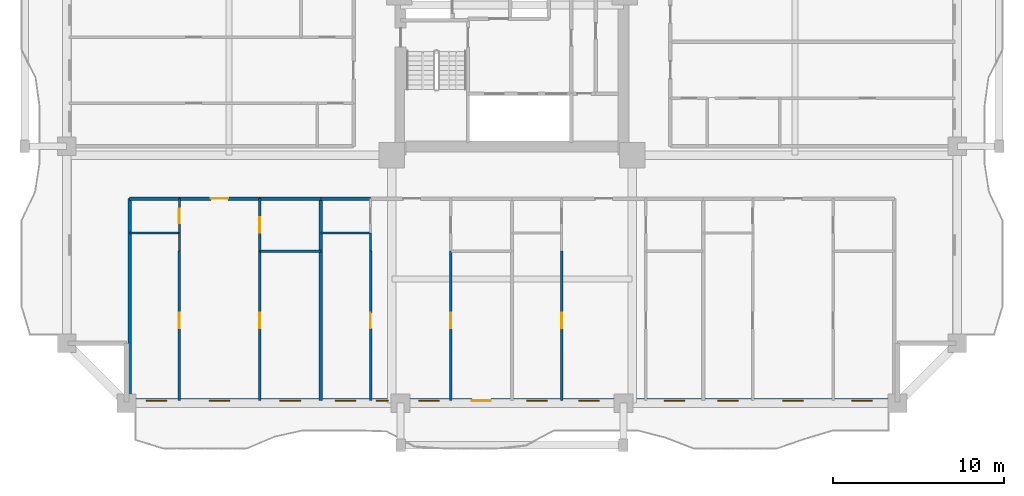
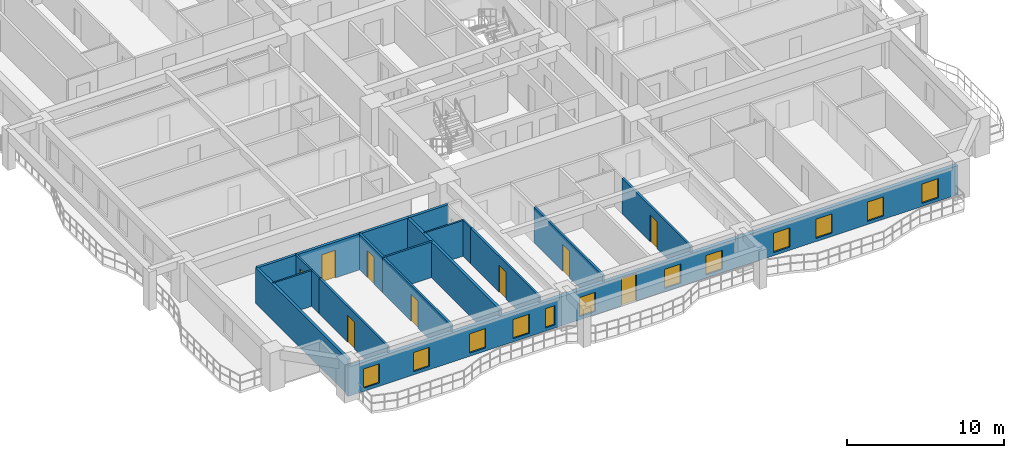
# One storey, part 2 of 18: 19 walls, 12 windows, 9 doors, 21 openings.
"""IFC4 building model written with IfcOpenShell, lengths in metres."""

from ifc_helpers import new_model, si_unit, direction, frame, frame_2d, origin, place, context, subcontext, project, spatial, rectangle, extrude, source, transform, mapped, material, layer, layer_set, type_object, element, fill, save


model = new_model("IFC4")

# Units and contexts
model_context = context("Model", 3, precision=1e-05, world=origin(), true_north=direction((0.0, 1.0)))
body_context = subcontext(model_context, "Body", "Model", "MODEL_VIEW")
ifc_project = project(units=[si_unit("LENGTHUNIT", "METRE"), si_unit("AREAUNIT", "SQUARE_METRE"), si_unit("VOLUMEUNIT", "CUBIC_METRE"), si_unit("PLANEANGLEUNIT", "RADIAN"), si_unit("MASSUNIT", "GRAM", prefix="KILO")], contexts=[model_context])

# Site, building, storey
site_placement = place(None, origin())
site = spatial("IfcSite", under=ifc_project, at=site_placement, CompositionType="ELEMENT")
building_placement = place(site_placement, origin())
building = spatial("IfcBuilding", under=site, at=building_placement, Name="Saelheon Loggia Tower", CompositionType="ELEMENT")
storey_placement = place(building_placement, frame((0.0, 0.0, 40.39990234375)))
storey = spatial("IfcBuildingStorey", under=building, at=storey_placement, Name="L12", CompositionType="ELEMENT", Elevation=40.39990234375)

# Wall, openings, windows, door
ifc_material_1 = material(Name="Architectural Precast Concrete C40/50", Category="concrete")
ifc_layer_1 = layer(ifc_material_1, 0.280029296875)
ifc_layer_set_1 = layer_set([ifc_layer_1], Name="Architectural Precast Concrete C40/50")
wall_type_1 = type_object("IfcWallType", Name="Wall_Ext_Loggia_280", PredefinedType="SOLIDWALL", material=ifc_layer_set_1)
wall_1_placement = place(storey_placement, frame((15.5, 3.139892578125, 0.0), z_axis=(0.0, 0.0, 1.0), x_axis=(1.0, 0.0, 0.0)))
wall_1 = element("IfcWall", 1, at=wall_1_placement, inside=storey, type_object=wall_type_1, Name="L12 South Loggia Inner Wall", PredefinedType="SOLIDWALL", context=body_context, shape_type="SweptSolid", body=[
    extrude(rectangle(XDim=45.0, YDim=0.280029296875, at=frame_2d((22.5, 0.0))), origin(), (0.0, 0.0, 1.0), 2.280029296875),
])
opening_1_placement = place(wall_1_placement, frame((1.1357421875, 0.0, 0.25)))
opening_1 = element("IfcOpeningElement", 2, at=opening_1_placement, cuts=wall_1, Name="Opening WN-03", PredefinedType="OPENING", context=body_context, shape_type="SweptSolid", body=[
    extrude(rectangle(XDim=1.199951171875, YDim=1.5, at=frame_2d((0.60009765625, 0.75))), frame((0.0, 0.152099609375, 0.0), z_axis=(0.0, -1.0, 0.0), x_axis=(1.0, 0.0, 0.0)), (0.0, 0.0, 1.0), 0.303955078125),
])
opening_2_placement = place(wall_1_placement, frame((4.8251953125, 0.0, 0.25)))
opening_2 = element("IfcOpeningElement", 3, at=opening_2_placement, cuts=wall_1, Name="Opening WN-03", PredefinedType="OPENING", context=body_context, shape_type="SweptSolid", body=[
    extrude(rectangle(XDim=1.199951171875, YDim=1.5, at=frame_2d((0.60009765625, 0.75))), frame((0.0, 0.152099609375, 0.0), z_axis=(0.0, -1.0, 0.0), x_axis=(1.0, 0.0, 0.0)), (0.0, 0.0, 1.0), 0.303955078125),
])
opening_3_placement = place(wall_1_placement, frame((8.954345703125, 0.0, 0.25)))
opening_3 = element("IfcOpeningElement", 4, at=opening_3_placement, cuts=wall_1, Name="Opening WN-03", PredefinedType="OPENING", context=body_context, shape_type="SweptSolid", body=[
    extrude(rectangle(XDim=1.199951171875, YDim=1.5, at=frame_2d((0.60009765625, 0.75))), frame((0.0, 0.152099609375, 0.0), z_axis=(0.0, -1.0, 0.0), x_axis=(1.0, 0.0, 0.0)), (0.0, 0.0, 1.0), 0.303955078125),
])
opening_4_placement = place(wall_1_placement, frame((12.19091796875, 0.0, 0.25)))
opening_4 = element("IfcOpeningElement", 5, at=opening_4_placement, cuts=wall_1, Name="Opening WN-03", PredefinedType="OPENING", context=body_context, shape_type="SweptSolid", body=[
    extrude(rectangle(XDim=1.199951171875, YDim=1.5, at=frame_2d((0.60009765625, 0.75))), frame((0.0, 0.152099609375, 0.0), z_axis=(0.0, -1.0, 0.0), x_axis=(1.0, 0.0, 0.0)), (0.0, 0.0, 1.0), 0.303955078125),
])
opening_5_placement = place(wall_1_placement, frame((14.57568359375, 0.0, 0.25)))
opening_5 = element("IfcOpeningElement", 6, at=opening_5_placement, cuts=wall_1, Name="Opening WN-06", PredefinedType="OPENING", context=body_context, shape_type="SweptSolid", body=[
    extrude(rectangle(XDim=0.699951171875, YDim=1.5, at=frame_2d((0.35009765625, 0.75))), frame((0.0, 0.152099609375, 0.0), z_axis=(0.0, -1.0, 0.0), x_axis=(1.0, 0.0, 0.0)), (0.0, 0.0, 1.0), 0.303955078125),
])
opening_6_placement = place(wall_1_placement, frame((17.059326171875, 0.0, 0.25)))
opening_6 = element("IfcOpeningElement", 7, at=opening_6_placement, cuts=wall_1, Name="Opening WN-03", PredefinedType="OPENING", context=body_context, shape_type="SweptSolid", body=[
    extrude(rectangle(XDim=1.199951171875, YDim=1.5, at=frame_2d((0.60009765625, 0.75))), frame((0.0, 0.152099609375, 0.0), z_axis=(0.0, -1.0, 0.0), x_axis=(1.0, 0.0, 0.0)), (0.0, 0.0, 1.0), 0.303955078125),
])
opening_7_placement = place(wall_1_placement, frame((21.264404296875, 0.0, 0.0), z_axis=(0.0, 0.0, 1.0), x_axis=(-1.0, 0.0, 0.0)))
opening_7 = element("IfcOpeningElement", 8, at=opening_7_placement, cuts=wall_1, Name="Opening TD1", PredefinedType="OPENING", context=body_context, shape_type="SweptSolid", body=[
    extrude(rectangle(XDim=1.10009765625, YDim=2.14990234375, at=frame_2d((0.550048828125, 1.074951171875))), frame((0.0, 0.152099609375, 0.0), z_axis=(0.0, -1.0, 0.0), x_axis=(1.0, 0.0, 0.0)), (0.0, 0.0, 1.0), 0.303955078125),
])
opening_8_placement = place(wall_1_placement, frame((23.350830078125, 0.0, 0.25)))
opening_8 = element("IfcOpeningElement", 9, at=opening_8_placement, cuts=wall_1, Name="Opening WN-03", PredefinedType="OPENING", context=body_context, shape_type="SweptSolid", body=[
    extrude(rectangle(XDim=1.199951171875, YDim=1.5, at=frame_2d((0.60009765625, 0.75))), frame((0.0, 0.152099609375, 0.0), z_axis=(0.0, -1.0, 0.0), x_axis=(1.0, 0.0, 0.0)), (0.0, 0.0, 1.0), 0.303955078125),
])
opening_9_placement = place(wall_1_placement, frame((26.40576171875, 0.0, 0.25)))
opening_9 = element("IfcOpeningElement", 10, at=opening_9_placement, cuts=wall_1, Name="Opening WN-03", PredefinedType="OPENING", context=body_context, shape_type="SweptSolid", body=[
    extrude(rectangle(XDim=1.199951171875, YDim=1.5, at=frame_2d((0.60009765625, 0.75))), frame((0.0, 0.152099609375, 0.0), z_axis=(0.0, -1.0, 0.0), x_axis=(1.0, 0.0, 0.0)), (0.0, 0.0, 1.0), 0.303955078125),
])
opening_10_placement = place(wall_1_placement, frame((31.389892578125, 0.0, 0.25)))
opening_10 = element("IfcOpeningElement", 11, at=opening_10_placement, cuts=wall_1, Name="Opening WN-03", PredefinedType="OPENING", context=body_context, shape_type="SweptSolid", body=[
    extrude(rectangle(XDim=1.199951171875, YDim=1.5, at=frame_2d((0.60009765625, 0.75))), frame((0.0, 0.152099609375, 0.0), z_axis=(0.0, -1.0, 0.0), x_axis=(1.0, 0.0, 0.0)), (0.0, 0.0, 1.0), 0.303955078125),
])
opening_11_placement = place(wall_1_placement, frame((34.5107421875, 0.0, 0.25)))
opening_11 = element("IfcOpeningElement", 12, at=opening_11_placement, cuts=wall_1, Name="Opening WN-03", PredefinedType="OPENING", context=body_context, shape_type="SweptSolid", body=[
    extrude(rectangle(XDim=1.199951171875, YDim=1.5, at=frame_2d((0.60009765625, 0.75))), frame((0.0, 0.152099609375, 0.0), z_axis=(0.0, -1.0, 0.0), x_axis=(1.0, 0.0, 0.0)), (0.0, 0.0, 1.0), 0.303955078125),
])
opening_12_placement = place(wall_1_placement, frame((38.30517578125, 0.0, 0.25)))
opening_12 = element("IfcOpeningElement", 13, at=opening_12_placement, cuts=wall_1, Name="Opening WN-03", PredefinedType="OPENING", context=body_context, shape_type="SweptSolid", body=[
    extrude(rectangle(XDim=1.199951171875, YDim=1.5, at=frame_2d((0.60009765625, 0.75))), frame((0.0, 0.152099609375, 0.0), z_axis=(0.0, -1.0, 0.0), x_axis=(1.0, 0.0, 0.0)), (0.0, 0.0, 1.0), 0.303955078125),
])
opening_13_placement = place(wall_1_placement, frame((42.329345703125, 0.0, 0.25)))
opening_13 = element("IfcOpeningElement", 14, at=opening_13_placement, cuts=wall_1, Name="Opening WN-03", PredefinedType="OPENING", context=body_context, shape_type="SweptSolid", body=[
    extrude(rectangle(XDim=1.199951171875, YDim=1.5, at=frame_2d((0.60009765625, 0.75))), frame((0.0, 0.152099609375, 0.0), z_axis=(0.0, -1.0, 0.0), x_axis=(1.0, 0.0, 0.0)), (0.0, 0.0, 1.0), 0.303955078125),
])
ifc_material_2 = material(Name="Thermal-Break Aluminium and Triple Low-E Glass", Category="aluminium")
window_type_1 = type_object("IfcWindowType", Name="Win_Slot_700x1500", PartitioningType="SINGLE_PANEL", PredefinedType="WINDOW", material=ifc_material_2)
shared_shape_1 = source(origin(), body_context, "Body", "SweptSolid", [
    extrude(rectangle(XDim=0.699951171875, YDim=1.5, at=frame_2d((0.35009765625, 0.75))), frame((0.0, 0.030029296875, 0.0), z_axis=(0.0, -1.0, 0.0), x_axis=(1.0, 0.0, 0.0)), (0.0, 0.0, 1.0), 0.06005859375),
])
window_1_placement = place(opening_5_placement, origin())
window_1 = element("IfcWindow", 15, at=window_1_placement, inside=storey, type_object=window_type_1, Name="L12 S Dwelling Window 5", OverallHeight=1.5, OverallWidth=0.699951171875, PartitioningType="SINGLE_PANEL", PredefinedType="WINDOW", context=body_context, shape_type="MappedRepresentation", body=[
    mapped(shared_shape_1, transform((0.0, 0.0, 0.0), scale=1.0)),
])
fill(opening_5, window_1)
window_type_2 = type_object("IfcWindowType", Name="Win_Bedroom_1200x1500", PartitioningType="SINGLE_PANEL", PredefinedType="WINDOW", material=ifc_material_2)
shared_shape_2 = source(origin(), body_context, "Body", "SweptSolid", [
    extrude(rectangle(XDim=1.199951171875, YDim=1.5, at=frame_2d((0.60009765625, 0.75))), frame((0.0, 0.030029296875, 0.0), z_axis=(0.0, -1.0, 0.0), x_axis=(1.0, 0.0, 0.0)), (0.0, 0.0, 1.0), 0.06005859375),
])
window_2_placement = place(opening_1_placement, origin())
window_2 = element("IfcWindow", 16, at=window_2_placement, inside=storey, type_object=window_type_2, Name="L12 S Dwelling Window 1", OverallHeight=1.5, OverallWidth=1.199951171875, PartitioningType="SINGLE_PANEL", PredefinedType="WINDOW", context=body_context, shape_type="MappedRepresentation", body=[
    mapped(shared_shape_2, transform((0.0, 0.0, 0.0), scale=1.0)),
])
fill(opening_1, window_2)
window_3_placement = place(opening_2_placement, origin())
window_3 = element("IfcWindow", 17, at=window_3_placement, inside=storey, type_object=window_type_2, Name="L12 S Dwelling Window 2", OverallHeight=1.5, OverallWidth=1.199951171875, PartitioningType="SINGLE_PANEL", PredefinedType="WINDOW", context=body_context, shape_type="MappedRepresentation", body=[
    mapped(shared_shape_2, transform((0.0, 0.0, 0.0), scale=1.0)),
])
fill(opening_2, window_3)
window_4_placement = place(opening_3_placement, origin())
window_4 = element("IfcWindow", 18, at=window_4_placement, inside=storey, type_object=window_type_2, Name="L12 S Dwelling Window 3", OverallHeight=1.5, OverallWidth=1.199951171875, PartitioningType="SINGLE_PANEL", PredefinedType="WINDOW", context=body_context, shape_type="MappedRepresentation", body=[
    mapped(shared_shape_2, transform((0.0, 0.0, 0.0), scale=1.0)),
])
fill(opening_3, window_4)
window_5_placement = place(opening_4_placement, origin())
window_5 = element("IfcWindow", 19, at=window_5_placement, inside=storey, type_object=window_type_2, Name="L12 S Dwelling Window 4", OverallHeight=1.5, OverallWidth=1.199951171875, PartitioningType="SINGLE_PANEL", PredefinedType="WINDOW", context=body_context, shape_type="MappedRepresentation", body=[
    mapped(shared_shape_2, transform((0.0, 0.0, 0.0), scale=1.0)),
])
fill(opening_4, window_5)
window_6_placement = place(opening_6_placement, origin())
window_6 = element("IfcWindow", 20, at=window_6_placement, inside=storey, type_object=window_type_2, Name="L12 S Dwelling Window 6", OverallHeight=1.5, OverallWidth=1.199951171875, PartitioningType="SINGLE_PANEL", PredefinedType="WINDOW", context=body_context, shape_type="MappedRepresentation", body=[
    mapped(shared_shape_2, transform((0.0, 0.0, 0.0), scale=1.0)),
])
fill(opening_6, window_6)
window_7_placement = place(opening_8_placement, origin())
window_7 = element("IfcWindow", 21, at=window_7_placement, inside=storey, type_object=window_type_2, Name="L12 S Dwelling Window 8", OverallHeight=1.5, OverallWidth=1.199951171875, PartitioningType="SINGLE_PANEL", PredefinedType="WINDOW", context=body_context, shape_type="MappedRepresentation", body=[
    mapped(shared_shape_2, transform((0.0, 0.0, 0.0), scale=1.0)),
])
fill(opening_8, window_7)
window_8_placement = place(opening_9_placement, origin())
window_8 = element("IfcWindow", 22, at=window_8_placement, inside=storey, type_object=window_type_2, Name="L12 S Dwelling Window 9", OverallHeight=1.5, OverallWidth=1.199951171875, PartitioningType="SINGLE_PANEL", PredefinedType="WINDOW", context=body_context, shape_type="MappedRepresentation", body=[
    mapped(shared_shape_2, transform((0.0, 0.0, 0.0), scale=1.0)),
])
fill(opening_9, window_8)
window_9_placement = place(opening_10_placement, origin())
window_9 = element("IfcWindow", 23, at=window_9_placement, inside=storey, type_object=window_type_2, Name="L12 S Dwelling Window 10", OverallHeight=1.5, OverallWidth=1.199951171875, PartitioningType="SINGLE_PANEL", PredefinedType="WINDOW", context=body_context, shape_type="MappedRepresentation", body=[
    mapped(shared_shape_2, transform((0.0, 0.0, 0.0), scale=1.0)),
])
fill(opening_10, window_9)
window_10_placement = place(opening_11_placement, origin())
window_10 = element("IfcWindow", 24, at=window_10_placement, inside=storey, type_object=window_type_2, Name="L12 S Dwelling Window 11", OverallHeight=1.5, OverallWidth=1.199951171875, PartitioningType="SINGLE_PANEL", PredefinedType="WINDOW", context=body_context, shape_type="MappedRepresentation", body=[
    mapped(shared_shape_2, transform((0.0, 0.0, 0.0), scale=1.0)),
])
fill(opening_11, window_10)
window_11_placement = place(opening_12_placement, origin())
window_11 = element("IfcWindow", 25, at=window_11_placement, inside=storey, type_object=window_type_2, Name="L12 S Dwelling Window 12", OverallHeight=1.5, OverallWidth=1.199951171875, PartitioningType="SINGLE_PANEL", PredefinedType="WINDOW", context=body_context, shape_type="MappedRepresentation", body=[
    mapped(shared_shape_2, transform((0.0, 0.0, 0.0), scale=1.0)),
])
fill(opening_12, window_11)
window_12_placement = place(opening_13_placement, origin())
window_12 = element("IfcWindow", 26, at=window_12_placement, inside=storey, type_object=window_type_2, Name="L12 S Dwelling Window 13", OverallHeight=1.5, OverallWidth=1.199951171875, PartitioningType="SINGLE_PANEL", PredefinedType="WINDOW", context=body_context, shape_type="MappedRepresentation", body=[
    mapped(shared_shape_2, transform((0.0, 0.0, 0.0), scale=1.0)),
])
fill(opening_13, window_12)
ifc_material_3 = material(Name="Thermal-Break Aluminium Glazed Door", Category="aluminium")
door_type_1 = type_object("IfcDoorType", Name="Door_Terrace_TD1", OperationType="NOTDEFINED", PredefinedType="DOOR", material=ifc_material_3)
shared_shape_3 = source(origin(), body_context, "Body", "SweptSolid", [
    extrude(rectangle(XDim=1.10009765625, YDim=2.14990234375, at=frame_2d((0.550048828125, 1.074951171875))), frame((0.0, 0.02490234375, 0.0), z_axis=(0.0, -1.0, 0.0), x_axis=(1.0, 0.0, 0.0)), (0.0, 0.0, 1.0), 0.050048828125),
])
door_1_placement = place(opening_7_placement, origin())
door_1 = element("IfcDoor", 27, at=door_1_placement, inside=storey, type_object=door_type_1, Name="L12 S Loggia Access Door", OperationType="SINGLE_SWING_LEFT", OverallHeight=2.14990234375, OverallWidth=1.10009765625, PredefinedType="DOOR", context=body_context, shape_type="MappedRepresentation", body=[
    mapped(shared_shape_3, transform((0.0, 0.0, 0.0), scale=1.0)),
])
fill(opening_7, door_1)

# Wall
ifc_material_4 = material(Name="Lightweight Autoclaved Aerated Concrete Block and Acoustic Gypsum", Category="concrete")
ifc_layer_2 = layer(ifc_material_4, 0.14990234375)
ifc_layer_set_2 = layer_set([ifc_layer_2], Name="Lightweight Autoclaved Aerated Concrete Block and Acoustic Gypsum")
wall_type_2 = type_object("IfcWallType", Name="Wall_Part_150", PredefinedType="PARTITIONING", material=ifc_layer_set_2)
wall_2_placement = place(storey_placement, frame((23.268798828125, 11.8798828125, 0.0), z_axis=(0.0, 0.0, 1.0), x_axis=(1.0, 0.0, 0.0)))
element("IfcWall", 28, at=wall_2_placement, inside=storey, type_object=wall_type_2, Name="L12 S Partition V07", PredefinedType="PARTITIONING", context=body_context, shape_type="SweptSolid", body=[
    extrude(rectangle(XDim=3.5712890625, YDim=0.14990234375, at=frame_2d((1.78564453125, 0.0))), origin(), (0.0, 0.0, 1.0), 2.7900390625),
])

# Wall, opening, door
wall_3_placement = place(storey_placement, frame((18.58154296875, 11.8798828125, 0.0), z_axis=(0.0, 0.0, 1.0), x_axis=(0.0, -1.0, 0.0)))
wall_3 = element("IfcWall", 29, at=wall_3_placement, inside=storey, type_object=wall_type_2, Name="L12 S Partition U10", PredefinedType="PARTITIONING", context=body_context, shape_type="SweptSolid", body=[
    extrude(rectangle(XDim=8.72998046875, YDim=0.14990234375, at=frame_2d((4.364990234375, 0.0))), origin(), (0.0, 0.0, 1.0), 2.7900390625),
])
opening_14_placement = place(wall_3_placement, frame((3.608642578125, 0.0, 0.0)))
opening_14 = element("IfcOpeningElement", 30, at=opening_14_placement, cuts=wall_3, Name="Opening D-IN2", PredefinedType="OPENING", context=body_context, shape_type="SweptSolid", body=[
    extrude(rectangle(XDim=0.89990234375, YDim=2.10009765625, at=frame_2d((0.449951171875, 1.050048828125))), frame((0.0, 0.0869140625, 0.0), z_axis=(0.0, -1.0, 0.0), x_axis=(1.0, 0.0, 0.0)), (0.0, 0.0, 1.0), 0.173828125),
])
ifc_material_5 = material(Name="Engineered Oak Flush Door", Category="timber")
door_type_2 = type_object("IfcDoorType", Name="Door_Int_900", OperationType="NOTDEFINED", PredefinedType="DOOR", material=ifc_material_5)
shared_shape_4 = source(origin(), body_context, "Body", "SweptSolid", [
    extrude(rectangle(XDim=0.89990234375, YDim=2.10009765625, at=frame_2d((0.449951171875, 1.050048828125))), frame((0.0, 0.02490234375, 0.0), z_axis=(0.0, -1.0, 0.0), x_axis=(1.0, 0.0, 0.0)), (0.0, 0.0, 1.0), 0.050048828125),
])
door_2_placement = place(opening_14_placement, origin())
door_2 = element("IfcDoor", 31, at=door_2_placement, inside=storey, type_object=door_type_2, Name="Unit U01 Bedroom 2 Door", OperationType="SINGLE_SWING_LEFT", OverallHeight=2.10009765625, OverallWidth=0.89990234375, PredefinedType="DOOR", context=body_context, shape_type="MappedRepresentation", body=[
    mapped(shared_shape_4, transform((0.0, 0.0, 0.0), scale=1.0)),
])
fill(opening_14, door_2)

wall_4_placement = place(storey_placement, frame((23.268798828125, 14.949951171875, 0.0), z_axis=(0.0, 0.0, 1.0), x_axis=(0.0, -1.0, 0.0)))
wall_4 = element("IfcWall", 32, at=wall_4_placement, inside=storey, type_object=wall_type_2, Name="L12 S Partition U11", PredefinedType="PARTITIONING", context=body_context, shape_type="SweptSolid", body=[
    extrude(rectangle(XDim=3.070068359375, YDim=0.14990234375, at=frame_2d((1.53515625, 0.0))), origin(), (0.0, 0.0, 1.0), 2.7900390625),
])
opening_15_placement = place(wall_4_placement, frame((1.0849609375, 0.0, 0.0)))
opening_15 = element("IfcOpeningElement", 33, at=opening_15_placement, cuts=wall_4, Name="Opening D-IN2", PredefinedType="OPENING", context=body_context, shape_type="SweptSolid", body=[
    extrude(rectangle(XDim=0.89990234375, YDim=2.10009765625, at=frame_2d((0.449951171875, 1.050048828125))), frame((0.0, 0.0869140625, 0.0), z_axis=(0.0, -1.0, 0.0), x_axis=(1.0, 0.0, 0.0)), (0.0, 0.0, 1.0), 0.173828125),
])
door_3_placement = place(opening_15_placement, origin())
door_3 = element("IfcDoor", 34, at=door_3_placement, inside=storey, type_object=door_type_2, Name="Unit U01 Kitchen Door", OperationType="SINGLE_SWING_RIGHT", OverallHeight=2.10009765625, OverallWidth=0.89990234375, PredefinedType="DOOR", context=body_context, shape_type="MappedRepresentation", body=[
    mapped(shared_shape_4, transform((0.0, 0.0, 0.0), scale=1.0)),
])
fill(opening_15, door_3)

wall_5_placement = place(storey_placement, frame((23.268798828125, 11.8798828125, 0.0), z_axis=(0.0, 0.0, 1.0), x_axis=(0.0, -1.0, 0.0)))
wall_5 = element("IfcWall", 35, at=wall_5_placement, inside=storey, type_object=wall_type_2, Name="L12 S Partition U12", PredefinedType="PARTITIONING", context=body_context, shape_type="SweptSolid", body=[
    extrude(rectangle(XDim=8.72998046875, YDim=0.14990234375, at=frame_2d((4.364990234375, 0.0))), origin(), (0.0, 0.0, 1.0), 2.7900390625),
])
opening_16_placement = place(wall_5_placement, frame((3.608642578125, 0.0, 0.0)))
opening_16 = element("IfcOpeningElement", 36, at=opening_16_placement, cuts=wall_5, Name="Opening D-IN2", PredefinedType="OPENING", context=body_context, shape_type="SweptSolid", body=[
    extrude(rectangle(XDim=0.89990234375, YDim=2.10009765625, at=frame_2d((0.449951171875, 1.050048828125))), frame((0.0, 0.0869140625, 0.0), z_axis=(0.0, -1.0, 0.0), x_axis=(1.0, 0.0, 0.0)), (0.0, 0.0, 1.0), 0.173828125),
])
door_4_placement = place(opening_16_placement, origin())
door_4 = element("IfcDoor", 37, at=door_4_placement, inside=storey, type_object=door_type_2, Name="Unit U01 Bedroom 1 Door", OperationType="SINGLE_SWING_LEFT", OverallHeight=2.10009765625, OverallWidth=0.89990234375, PredefinedType="DOOR", context=body_context, shape_type="MappedRepresentation", body=[
    mapped(shared_shape_4, transform((0.0, 0.0, 0.0), scale=1.0)),
])
fill(opening_16, door_4)

wall_6_placement = place(storey_placement, frame((29.74169921875, 11.8798828125, 0.0), z_axis=(0.0, 0.0, 1.0), x_axis=(0.0, -1.0, 0.0)))
wall_6 = element("IfcWall", 38, at=wall_6_placement, inside=storey, type_object=wall_type_2, Name="L12 S Partition U21", PredefinedType="PARTITIONING", context=body_context, shape_type="SweptSolid", body=[
    extrude(rectangle(XDim=8.72998046875, YDim=0.14990234375, at=frame_2d((4.364990234375, 0.0))), origin(), (0.0, 0.0, 1.0), 2.7900390625),
])
opening_17_placement = place(wall_6_placement, frame((3.608642578125, 0.0, 0.0)))
opening_17 = element("IfcOpeningElement", 39, at=opening_17_placement, cuts=wall_6, Name="Opening D-IN2", PredefinedType="OPENING", context=body_context, shape_type="SweptSolid", body=[
    extrude(rectangle(XDim=0.89990234375, YDim=2.10009765625, at=frame_2d((0.449951171875, 1.050048828125))), frame((0.0, 0.0869140625, 0.0), z_axis=(0.0, -1.0, 0.0), x_axis=(1.0, 0.0, 0.0)), (0.0, 0.0, 1.0), 0.173828125),
])
door_5_placement = place(opening_17_placement, origin())
door_5 = element("IfcDoor", 40, at=door_5_placement, inside=storey, type_object=door_type_2, Name="Unit U02 Bedroom 2 Door", OperationType="SINGLE_SWING_RIGHT", OverallHeight=2.10009765625, OverallWidth=0.89990234375, PredefinedType="DOOR", context=body_context, shape_type="MappedRepresentation", body=[
    mapped(shared_shape_4, transform((0.0, 0.0, 0.0), scale=1.0)),
])
fill(opening_17, door_5)

wall_7_placement = place(storey_placement, frame((34.4287109375, 11.8798828125, 0.0), z_axis=(0.0, 0.0, 1.0), x_axis=(0.0, -1.0, 0.0)))
wall_7 = element("IfcWall", 41, at=wall_7_placement, inside=storey, type_object=wall_type_2, Name="L12 S Partition U23", PredefinedType="PARTITIONING", context=body_context, shape_type="SweptSolid", body=[
    extrude(rectangle(XDim=8.72998046875, YDim=0.14990234375, at=frame_2d((4.364990234375, 0.0))), origin(), (0.0, 0.0, 1.0), 2.7900390625),
])
opening_18_placement = place(wall_7_placement, frame((3.608642578125, 0.0, 0.0)))
opening_18 = element("IfcOpeningElement", 42, at=opening_18_placement, cuts=wall_7, Name="Opening D-IN2", PredefinedType="OPENING", context=body_context, shape_type="SweptSolid", body=[
    extrude(rectangle(XDim=0.89990234375, YDim=2.10009765625, at=frame_2d((0.449951171875, 1.050048828125))), frame((0.0, 0.0869140625, 0.0), z_axis=(0.0, -1.0, 0.0), x_axis=(1.0, 0.0, 0.0)), (0.0, 0.0, 1.0), 0.173828125),
])
door_6_placement = place(opening_18_placement, origin())
door_6 = element("IfcDoor", 43, at=door_6_placement, inside=storey, type_object=door_type_2, Name="Unit U02 Bedroom 1 Door", OperationType="SINGLE_SWING_RIGHT", OverallHeight=2.10009765625, OverallWidth=0.89990234375, PredefinedType="DOOR", context=body_context, shape_type="MappedRepresentation", body=[
    mapped(shared_shape_4, transform((0.0, 0.0, 0.0), scale=1.0)),
])
fill(opening_18, door_6)

wall_8_placement = place(storey_placement, frame((40.901611328125, 11.8798828125, 0.0), z_axis=(0.0, 0.0, 1.0), x_axis=(0.0, -1.0, 0.0)))
wall_8 = element("IfcWall", 44, at=wall_8_placement, inside=storey, type_object=wall_type_2, Name="L12 S Partition U32", PredefinedType="PARTITIONING", context=body_context, shape_type="SweptSolid", body=[
    extrude(rectangle(XDim=8.72998046875, YDim=0.14990234375, at=frame_2d((4.364990234375, 0.0))), origin(), (0.0, 0.0, 1.0), 2.7900390625),
])
opening_19_placement = place(wall_8_placement, frame((3.608642578125, 0.0, 0.0)))
opening_19 = element("IfcOpeningElement", 45, at=opening_19_placement, cuts=wall_8, Name="Opening D-IN2", PredefinedType="OPENING", context=body_context, shape_type="SweptSolid", body=[
    extrude(rectangle(XDim=0.89990234375, YDim=2.10009765625, at=frame_2d((0.449951171875, 1.050048828125))), frame((0.0, 0.0869140625, 0.0), z_axis=(0.0, -1.0, 0.0), x_axis=(1.0, 0.0, 0.0)), (0.0, 0.0, 1.0), 0.173828125),
])
door_7_placement = place(opening_19_placement, origin())
door_7 = element("IfcDoor", 46, at=door_7_placement, inside=storey, type_object=door_type_2, Name="Unit U03 Bedroom 2 Door", OperationType="SINGLE_SWING_LEFT", OverallHeight=2.10009765625, OverallWidth=0.89990234375, PredefinedType="DOOR", context=body_context, shape_type="MappedRepresentation", body=[
    mapped(shared_shape_4, transform((0.0, 0.0, 0.0), scale=1.0)),
])
fill(opening_19, door_7)

# Walls
ifc_material_6 = material(Name="Double Acoustic Stud and Fireboard Partition", Category="gypsum")
ifc_layer_3 = layer(ifc_material_6, 0.199951171875)
ifc_layer_set_3 = layer_set([ifc_layer_3], Name="Double Acoustic Stud and Fireboard Partition")
wall_type_3 = type_object("IfcWallType", Name="Wall_Party_200", PredefinedType="PARTITIONING", material=ifc_layer_set_3)
wall_9_placement = place(storey_placement, frame((15.679931640625, 14.949951171875, 0.0), z_axis=(0.0, 0.0, 1.0), x_axis=(0.0, -1.0, 0.0)))
element("IfcWall", 47, at=wall_9_placement, inside=storey, type_object=wall_type_3, Name="L12 S Partition U01", PredefinedType="PARTITIONING", context=body_context, shape_type="SweptSolid", body=[
    extrude(rectangle(XDim=11.800048828125, YDim=0.199951171875, at=frame_2d((5.89990234375, 0.0))), origin(), (0.0, 0.0, 1.0), 2.7900390625),
])
wall_10_placement = place(storey_placement, frame((15.679931640625, 14.949951171875, 0.0), z_axis=(0.0, 0.0, 1.0), x_axis=(1.0, 0.0, 0.0)))
element("IfcWall", 48, at=wall_10_placement, inside=storey, type_object=wall_type_3, Name="L12 S Partition V03", PredefinedType="PARTITIONING", context=body_context, shape_type="SweptSolid", body=[
    extrude(rectangle(XDim=2.901611328125, YDim=0.199951171875, at=frame_2d((1.45068359375, 0.0))), origin(), (0.0, 0.0, 1.0), 2.7900390625),
])

# Wall, opening, door
wall_11_placement = place(storey_placement, frame((18.58154296875, 14.949951171875, 0.0), z_axis=(0.0, 0.0, 1.0), x_axis=(1.0, 0.0, 0.0)))
wall_11 = element("IfcWall", 49, at=wall_11_placement, inside=storey, type_object=wall_type_3, Name="L12 S Partition V04", PredefinedType="PARTITIONING", context=body_context, shape_type="SweptSolid", body=[
    extrude(rectangle(XDim=4.687255859375, YDim=0.199951171875, at=frame_2d((2.34375, 0.0))), origin(), (0.0, 0.0, 1.0), 2.7900390625),
])
opening_20_placement = place(wall_11_placement, frame((1.843505859375, 0.0, 0.0)))
opening_20 = element("IfcOpeningElement", 50, at=opening_20_placement, cuts=wall_11, Name="Opening D-FD1", PredefinedType="OPENING", context=body_context, shape_type="SweptSolid", body=[
    extrude(rectangle(XDim=1.0, YDim=2.14990234375, at=frame_2d((0.5, 1.074951171875))), frame((0.0, 0.112060546875, 0.0), z_axis=(0.0, -1.0, 0.0), x_axis=(1.0, 0.0, 0.0)), (0.0, 0.0, 1.0), 0.223876953125),
])
ifc_material_7 = material(Name="Fire-Rated Engineered Timber Entrance Door", Category="wood")
door_type_3 = type_object("IfcDoorType", Name="Door_Flat_FD30S", OperationType="NOTDEFINED", PredefinedType="DOOR", material=ifc_material_7)
shared_shape_5 = source(origin(), body_context, "Body", "SweptSolid", [
    extrude(rectangle(XDim=1.0, YDim=2.14990234375, at=frame_2d((0.5, 1.074951171875))), frame((0.0, 0.02490234375, 0.0), z_axis=(0.0, -1.0, 0.0), x_axis=(1.0, 0.0, 0.0)), (0.0, 0.0, 1.0), 0.050048828125),
])
door_8_placement = place(opening_20_placement, origin())
door_8 = element("IfcDoor", 51, at=door_8_placement, inside=storey, type_object=door_type_3, Name="Unit U01 Entrance Door", OperationType="SINGLE_SWING_LEFT", OverallHeight=2.14990234375, OverallWidth=1.0, PredefinedType="DOOR", context=body_context, shape_type="MappedRepresentation", body=[
    mapped(shared_shape_5, transform((0.0, 0.0, 0.0), scale=1.0)),
])
fill(opening_20, door_8)

# Walls
wall_12_placement = place(storey_placement, frame((23.268798828125, 14.949951171875, 0.0), z_axis=(0.0, 0.0, 1.0), x_axis=(1.0, 0.0, 0.0)))
element("IfcWall", 52, at=wall_12_placement, inside=storey, type_object=wall_type_3, Name="L12 S Partition V05", PredefinedType="PARTITIONING", context=body_context, shape_type="SweptSolid", body=[
    extrude(rectangle(XDim=3.5712890625, YDim=0.199951171875, at=frame_2d((1.78564453125, 0.0))), origin(), (0.0, 0.0, 1.0), 2.7900390625),
])
wall_13_placement = place(storey_placement, frame((26.840087890625, 14.949951171875, 0.0), z_axis=(0.0, 0.0, 1.0), x_axis=(0.0, -1.0, 0.0)))
element("IfcWall", 53, at=wall_13_placement, inside=storey, type_object=wall_type_3, Name="L12 S Partition U13", PredefinedType="PARTITIONING", context=body_context, shape_type="SweptSolid", body=[
    extrude(rectangle(XDim=11.800048828125, YDim=0.199951171875, at=frame_2d((5.89990234375, 0.0))), origin(), (0.0, 0.0, 1.0), 2.7900390625),
])
wall_14_placement = place(storey_placement, frame((26.840087890625, 14.949951171875, 0.0), z_axis=(0.0, 0.0, 1.0), x_axis=(1.0, 0.0, 0.0)))
element("IfcWall", 54, at=wall_14_placement, inside=storey, type_object=wall_type_3, Name="L12 S Partition V14", PredefinedType="PARTITIONING", context=body_context, shape_type="SweptSolid", body=[
    extrude(rectangle(XDim=2.901611328125, YDim=0.199951171875, at=frame_2d((1.45068359375, 0.0))), origin(), (0.0, 0.0, 1.0), 2.7900390625),
])
ifc_material_8 = material(Name="Moisture-Resistant Cement Board Partition", Category="gypsum")
ifc_layer_4 = layer(ifc_material_8, 0.1201171875)
ifc_layer_set_4 = layer_set([ifc_layer_4], Name="Moisture-Resistant Cement Board Partition")
wall_type_4 = type_object("IfcWallType", Name="Wall_WetPart_120", PredefinedType="PARTITIONING", material=ifc_layer_set_4)
wall_15_placement = place(storey_placement, frame((15.679931640625, 12.929931640625, 0.0), z_axis=(0.0, 0.0, 1.0), x_axis=(1.0, 0.0, 0.0)))
element("IfcWall", 55, at=wall_15_placement, inside=storey, type_object=wall_type_4, Name="L12 S Partition V06", PredefinedType="PARTITIONING", context=body_context, shape_type="SweptSolid", body=[
    extrude(rectangle(XDim=2.901611328125, YDim=0.1201171875, at=frame_2d((1.45068359375, 0.0))), origin(), (0.0, 0.0, 1.0), 2.7900390625),
])

# Wall, opening, door
wall_16_placement = place(storey_placement, frame((18.58154296875, 14.949951171875, 0.0), z_axis=(0.0, 0.0, 1.0), x_axis=(0.0, -1.0, 0.0)))
wall_16 = element("IfcWall", 56, at=wall_16_placement, inside=storey, type_object=wall_type_4, Name="L12 S Partition U08", PredefinedType="PARTITIONING", context=body_context, shape_type="SweptSolid", body=[
    extrude(rectangle(XDim=2.02001953125, YDim=0.1201171875, at=frame_2d((1.010009765625, 0.0))), origin(), (0.0, 0.0, 1.0), 2.7900390625),
])
opening_21_placement = place(wall_16_placement, frame((0.5849609375, 0.0, 0.0)))
opening_21 = element("IfcOpeningElement", 57, at=opening_21_placement, cuts=wall_16, Name="Opening D-BT1", PredefinedType="OPENING", context=body_context, shape_type="SweptSolid", body=[
    extrude(rectangle(XDim=0.85009765625, YDim=2.050048828125, at=frame_2d((0.425048828125, 1.02490234375))), frame((0.0, 0.072021484375, 0.0), z_axis=(0.0, -1.0, 0.0), x_axis=(1.0, 0.0, 0.0)), (0.0, 0.0, 1.0), 0.14404296875),
])
ifc_material_9 = material(Name="Moisture-Resistant Laminate Timber Door", Category="wood")
door_type_4 = type_object("IfcDoorType", Name="Door_Bath_850", OperationType="NOTDEFINED", PredefinedType="DOOR", material=ifc_material_9)
shared_shape_6 = source(origin(), body_context, "Body", "SweptSolid", [
    extrude(rectangle(XDim=0.85009765625, YDim=2.050048828125, at=frame_2d((0.425048828125, 1.02490234375))), frame((0.0, 0.02490234375, 0.0), z_axis=(0.0, -1.0, 0.0), x_axis=(1.0, 0.0, 0.0)), (0.0, 0.0, 1.0), 0.050048828125),
])
door_9_placement = place(opening_21_placement, origin())
door_9 = element("IfcDoor", 58, at=door_9_placement, inside=storey, type_object=door_type_4, Name="Unit U01 Bathroom Door", OperationType="SINGLE_SWING_RIGHT", OverallHeight=2.050048828125, OverallWidth=0.85009765625, PredefinedType="DOOR", context=body_context, shape_type="MappedRepresentation", body=[
    mapped(shared_shape_6, transform((0.0, 0.0, 0.0), scale=1.0)),
])
fill(opening_21, door_9)

# Walls
wall_17_placement = place(storey_placement, frame((18.58154296875, 12.929931640625, 0.0), z_axis=(0.0, 0.0, 1.0), x_axis=(0.0, -1.0, 0.0)))
element("IfcWall", 59, at=wall_17_placement, inside=storey, type_object=wall_type_4, Name="L12 S Partition U09", PredefinedType="PARTITIONING", context=body_context, shape_type="SweptSolid", body=[
    extrude(rectangle(XDim=1.050048828125, YDim=0.1201171875, at=frame_2d((0.52490234375, 0.0))), origin(), (0.0, 0.0, 1.0), 2.7900390625),
])
wall_18_placement = place(storey_placement, frame((26.840087890625, 12.929931640625, 0.0), z_axis=(0.0, 0.0, 1.0), x_axis=(1.0, 0.0, 0.0)))
element("IfcWall", 60, at=wall_18_placement, inside=storey, type_object=wall_type_4, Name="L12 S Partition V17", PredefinedType="PARTITIONING", context=body_context, shape_type="SweptSolid", body=[
    extrude(rectangle(XDim=2.901611328125, YDim=0.1201171875, at=frame_2d((1.45068359375, 0.0))), origin(), (0.0, 0.0, 1.0), 2.7900390625),
])
wall_19_placement = place(storey_placement, frame((29.74169921875, 12.929931640625, 0.0), z_axis=(0.0, 0.0, 1.0), x_axis=(0.0, -1.0, 0.0)))
element("IfcWall", 61, at=wall_19_placement, inside=storey, type_object=wall_type_4, Name="L12 S Partition U20", PredefinedType="PARTITIONING", context=body_context, shape_type="SweptSolid", body=[
    extrude(rectangle(XDim=1.050048828125, YDim=0.1201171875, at=frame_2d((0.52490234375, 0.0))), origin(), (0.0, 0.0, 1.0), 2.7900390625),
])

save(model, "model.ifc")
